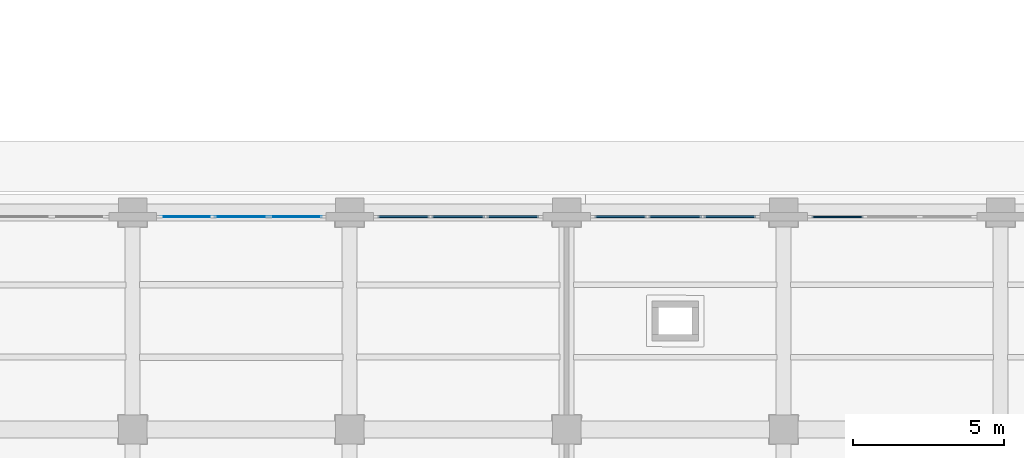
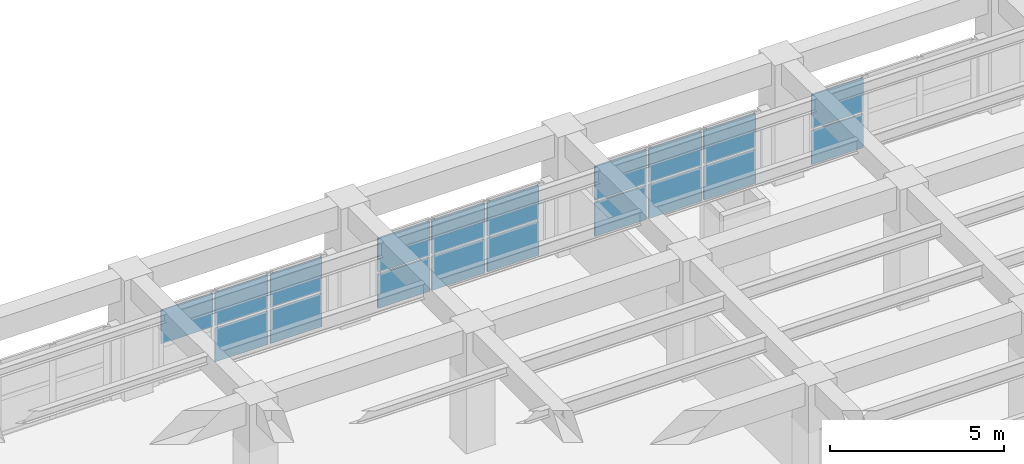
# One storey, part 33 of 64: 19 plates, 4 elements without a shape of their own.
"""IFC4 building model written with IfcOpenShell, lengths in metres."""

from ifc_helpers import new_model, si_unit, direction, frame, origin, origin_2d, place, context, subcontext, project, spatial, rectangle, extrude, material, layer, layer_set, type_object, element, aggregate, save


model = new_model("IFC4")

# Units and contexts
model_context = context("Model", 3, precision=1e-05, world=origin(), true_north=direction((0.0, 1.0)))
body_context = subcontext(model_context, "Body", "Model", "MODEL_VIEW")
ifc_project = project(units=[si_unit("LENGTHUNIT", "METRE"), si_unit("AREAUNIT", "SQUARE_METRE"), si_unit("VOLUMEUNIT", "CUBIC_METRE"), si_unit("PLANEANGLEUNIT", "RADIAN"), si_unit("MASSUNIT", "GRAM", prefix="KILO")], contexts=[model_context])

# Site, building, storey
site_placement = place(None, origin())
site = spatial("IfcSite", under=ifc_project, at=site_placement, CompositionType="ELEMENT")
building_placement = place(site_placement, origin())
building = spatial("IfcBuilding", under=site, at=building_placement, Name="Solenvale Faculty of Natural Sciences", CompositionType="ELEMENT")
storey_placement = place(building_placement, origin())
storey = spatial("IfcBuildingStorey", under=building, at=storey_placement, Name="L00", CompositionType="ELEMENT", Elevation=0.0)

# Curtain wall, plates
ifc_material_1 = material(Name="Anodised bronze aluminium", Category="aluminium")
ifc_layer_1 = layer(ifc_material_1, 0.179931640625)
ifc_layer_set_1 = layer_set([ifc_layer_1], Name="Anodised bronze aluminium")
curtain_wall_type = type_object("IfcCurtainWallType", Name="CW-TWR-MOD", PredefinedType="USERDEFINED", material=ifc_layer_set_1)
curtain_wall_1_placement = place(storey_placement, origin())
curtain_wall_1 = element("IfcCurtainWall", 1, at=curtain_wall_1_placement, inside=storey, type_object=curtain_wall_type, Name="L00 Curtain Wall CW-L00-P1-E9-B6", ObjectType="UNITISED CURTAIN WALL", PredefinedType="USERDEFINED")
ifc_material_2 = material(Name="North-light skylight glass", Category="glass")
ifc_layer_2 = layer(ifc_material_2, 0.028076171875)
ifc_layer_set_2 = layer_set([ifc_layer_2], Name="North-light skylight glass")
plate_type_1 = type_object("IfcPlateType", Name="CWP-PNL-28", PredefinedType="CURTAIN_PANEL", material=ifc_layer_set_2)
plate_1_placement = place(storey_placement, frame((77.41455078125, 50.257568359375, 0.074951171875), z_axis=(0.0, 0.0, 1.0), x_axis=(-1.0, 0.0, 0.0)))
plate_1 = element("IfcPlate", 2, at=plate_1_placement, type_object=plate_type_1, Name="CW-04 panel 1.1", PredefinedType="CURTAIN_PANEL", context=body_context, shape_type="SweptSolid", body=[
    extrude(rectangle(XDim=1.720947265625, YDim=0.028076171875, at=origin_2d()), origin(), (0.0, 0.0, 1.0), 1.1875),
])
plate_2_placement = place(storey_placement, frame((77.41455078125, 50.257568359375, 1.33740234375), z_axis=(0.0, 0.0, 1.0), x_axis=(-1.0, 0.0, 0.0)))
plate_2 = element("IfcPlate", 3, at=plate_2_placement, type_object=plate_type_1, Name="CW-04 panel 1.2", PredefinedType="CURTAIN_PANEL", context=body_context, shape_type="SweptSolid", body=[
    extrude(rectangle(XDim=1.720947265625, YDim=0.028076171875, at=origin_2d()), origin(), (0.0, 0.0, 1.0), 1.1875),
])
plate_3_placement = place(storey_placement, frame((75.60009765625, 50.257568359375, 0.074951171875), z_axis=(0.0, 0.0, 1.0), x_axis=(-1.0, 0.0, 0.0)))
plate_3 = element("IfcPlate", 4, at=plate_3_placement, type_object=plate_type_1, Name="CW-04 panel 2.1", PredefinedType="CURTAIN_PANEL", context=body_context, shape_type="SweptSolid", body=[
    extrude(rectangle(XDim=1.75830078125, YDim=0.028076171875, at=origin_2d()), origin(), (0.0, 0.0, 1.0), 1.1875),
])
plate_4_placement = place(storey_placement, frame((75.60009765625, 50.257568359375, 1.33740234375), z_axis=(0.0, 0.0, 1.0), x_axis=(-1.0, 0.0, 0.0)))
plate_4 = element("IfcPlate", 5, at=plate_4_placement, type_object=plate_type_1, Name="CW-04 panel 2.2", PredefinedType="CURTAIN_PANEL", context=body_context, shape_type="SweptSolid", body=[
    extrude(rectangle(XDim=1.75830078125, YDim=0.028076171875, at=origin_2d()), origin(), (0.0, 0.0, 1.0), 1.1875),
])
plate_5_placement = place(storey_placement, frame((73.785400390625, 50.257568359375, 1.33740234375), z_axis=(0.0, 0.0, 1.0), x_axis=(-1.0, 0.0, 0.0)))
plate_5 = element("IfcPlate", 6, at=plate_5_placement, type_object=plate_type_1, Name="CW-04 panel 3.2", PredefinedType="CURTAIN_PANEL", context=body_context, shape_type="SweptSolid", body=[
    extrude(rectangle(XDim=1.720947265625, YDim=0.028076171875, at=origin_2d()), origin(), (0.0, 0.0, 1.0), 1.1875),
])
aggregate(curtain_wall_1, [plate_1, plate_2, plate_3, plate_4, plate_5])

curtain_wall_2_placement = place(storey_placement, origin())
curtain_wall_2 = element("IfcCurtainWall", 7, at=curtain_wall_2_placement, inside=storey, type_object=curtain_wall_type, Name="L00 Curtain Wall CW-L00-P1-E9-B3", ObjectType="UNITISED CURTAIN WALL", PredefinedType="USERDEFINED")
ifc_layer_3 = layer(ifc_material_1, 0.048095703125)
ifc_layer_set_3 = layer_set([ifc_layer_3], Name="Anodised bronze aluminium")
plate_type_2 = type_object("IfcPlateType", Name="CWP-PNL-48", PredefinedType="CURTAIN_PANEL", material=ifc_layer_set_3)
plate_6_placement = place(storey_placement, frame((95.385498046875, 50.257568359375, 0.074951171875), z_axis=(0.0, 0.0, 1.0), x_axis=(-1.0, 0.0, 0.0)))
plate_6 = element("IfcPlate", 8, at=plate_6_placement, type_object=plate_type_2, Name="CW-04 panel 3.1", PredefinedType="CURTAIN_PANEL", context=body_context, shape_type="SweptSolid", body=[
    extrude(rectangle(XDim=1.720947265625, YDim=0.048095703125, at=origin_2d()), origin(), (0.0, 0.0, 1.0), 1.1875),
])
plate_7_placement = place(storey_placement, frame((95.385498046875, 50.257568359375, 1.33740234375), z_axis=(0.0, 0.0, 1.0), x_axis=(-1.0, 0.0, 0.0)))
plate_7 = element("IfcPlate", 9, at=plate_7_placement, type_object=plate_type_2, Name="CW-04 panel 3.2", PredefinedType="CURTAIN_PANEL", context=body_context, shape_type="SweptSolid", body=[
    extrude(rectangle(XDim=1.720947265625, YDim=0.048095703125, at=origin_2d()), origin(), (0.0, 0.0, 1.0), 1.1875),
])
aggregate(curtain_wall_2, [plate_6, plate_7])

curtain_wall_3_placement = place(storey_placement, origin())
curtain_wall_3 = element("IfcCurtainWall", 10, at=curtain_wall_3_placement, inside=storey, type_object=curtain_wall_type, Name="L00 Curtain Wall CW-L00-P1-E9-B4", ObjectType="UNITISED CURTAIN WALL", PredefinedType="USERDEFINED")
ifc_layer_4 = layer(ifc_material_1, 0.053955078125)
ifc_layer_set_4 = layer_set([ifc_layer_4], Name="Anodised bronze aluminium")
plate_type_3 = type_object("IfcPlateType", Name="CWP-PNL-54", PredefinedType="CURTAIN_PANEL", material=ifc_layer_set_4)
plate_8_placement = place(storey_placement, frame((91.814697265625, 50.257568359375, 0.074951171875), z_axis=(0.0, 0.0, 1.0), x_axis=(-1.0, 0.0, 0.0)))
plate_8 = element("IfcPlate", 11, at=plate_8_placement, type_object=plate_type_3, Name="CW-04 panel 1.1", PredefinedType="CURTAIN_PANEL", context=body_context, shape_type="SweptSolid", body=[
    extrude(rectangle(XDim=1.720947265625, YDim=0.053955078125, at=origin_2d()), origin(), (0.0, 0.0, 1.0), 1.1875),
])
plate_9_placement = place(storey_placement, frame((91.814697265625, 50.257568359375, 1.33740234375), z_axis=(0.0, 0.0, 1.0), x_axis=(-1.0, 0.0, 0.0)))
plate_9 = element("IfcPlate", 12, at=plate_9_placement, type_object=plate_type_3, Name="CW-04 panel 1.2", PredefinedType="CURTAIN_PANEL", context=body_context, shape_type="SweptSolid", body=[
    extrude(rectangle(XDim=1.720947265625, YDim=0.053955078125, at=origin_2d()), origin(), (0.0, 0.0, 1.0), 1.1875),
])
plate_10_placement = place(storey_placement, frame((90.0, 50.257568359375, 0.074951171875), z_axis=(0.0, 0.0, 1.0), x_axis=(-1.0, 0.0, 0.0)))
plate_10 = element("IfcPlate", 13, at=plate_10_placement, type_object=plate_type_3, Name="CW-04 panel 2.1", PredefinedType="CURTAIN_PANEL", context=body_context, shape_type="SweptSolid", body=[
    extrude(rectangle(XDim=1.75830078125, YDim=0.053955078125, at=origin_2d()), origin(), (0.0, 0.0, 1.0), 1.1875),
])
plate_11_placement = place(storey_placement, frame((90.0, 50.257568359375, 1.33740234375), z_axis=(0.0, 0.0, 1.0), x_axis=(-1.0, 0.0, 0.0)))
plate_11 = element("IfcPlate", 14, at=plate_11_placement, type_object=plate_type_3, Name="CW-04 panel 2.2", PredefinedType="CURTAIN_PANEL", context=body_context, shape_type="SweptSolid", body=[
    extrude(rectangle(XDim=1.75830078125, YDim=0.053955078125, at=origin_2d()), origin(), (0.0, 0.0, 1.0), 1.1875),
])
plate_12_placement = place(storey_placement, frame((88.185302734375, 50.257568359375, 0.074951171875), z_axis=(0.0, 0.0, 1.0), x_axis=(-1.0, 0.0, 0.0)))
plate_12 = element("IfcPlate", 15, at=plate_12_placement, type_object=plate_type_3, Name="CW-04 panel 3.1", PredefinedType="CURTAIN_PANEL", context=body_context, shape_type="SweptSolid", body=[
    extrude(rectangle(XDim=1.720947265625, YDim=0.053955078125, at=origin_2d()), origin(), (0.0, 0.0, 1.0), 1.1875),
])
plate_13_placement = place(storey_placement, frame((88.185302734375, 50.257568359375, 1.33740234375), z_axis=(0.0, 0.0, 1.0), x_axis=(-1.0, 0.0, 0.0)))
plate_13 = element("IfcPlate", 16, at=plate_13_placement, type_object=plate_type_3, Name="CW-04 panel 3.2", PredefinedType="CURTAIN_PANEL", context=body_context, shape_type="SweptSolid", body=[
    extrude(rectangle(XDim=1.720947265625, YDim=0.053955078125, at=origin_2d()), origin(), (0.0, 0.0, 1.0), 1.1875),
])
aggregate(curtain_wall_3, [plate_8, plate_9, plate_10, plate_11, plate_12, plate_13])

curtain_wall_4_placement = place(storey_placement, origin())
curtain_wall_4 = element("IfcCurtainWall", 17, at=curtain_wall_4_placement, inside=storey, type_object=curtain_wall_type, Name="L00 Curtain Wall CW-L00-P1-E9-B5", ObjectType="UNITISED CURTAIN WALL", PredefinedType="USERDEFINED")
ifc_layer_5 = layer(ifc_material_1, 0.06005859375)
ifc_layer_set_5 = layer_set([ifc_layer_5], Name="Anodised bronze aluminium")
plate_type_4 = type_object("IfcPlateType", Name="CWP-PNL-60", PredefinedType="CURTAIN_PANEL", material=ifc_layer_set_5)
plate_14_placement = place(storey_placement, frame((84.614501953125, 50.257568359375, 0.074951171875), z_axis=(0.0, 0.0, 1.0), x_axis=(-1.0, 0.0, 0.0)))
plate_14 = element("IfcPlate", 18, at=plate_14_placement, type_object=plate_type_4, Name="CW-04 panel 1.1", PredefinedType="CURTAIN_PANEL", context=body_context, shape_type="SweptSolid", body=[
    extrude(rectangle(XDim=1.720947265625, YDim=0.06005859375, at=origin_2d()), origin(), (0.0, 0.0, 1.0), 1.1875),
])
plate_15_placement = place(storey_placement, frame((84.614501953125, 50.257568359375, 1.33740234375), z_axis=(0.0, 0.0, 1.0), x_axis=(-1.0, 0.0, 0.0)))
plate_15 = element("IfcPlate", 19, at=plate_15_placement, type_object=plate_type_4, Name="CW-04 panel 1.2", PredefinedType="CURTAIN_PANEL", context=body_context, shape_type="SweptSolid", body=[
    extrude(rectangle(XDim=1.720947265625, YDim=0.06005859375, at=origin_2d()), origin(), (0.0, 0.0, 1.0), 1.1875),
])
plate_16_placement = place(storey_placement, frame((82.800048828125, 50.257568359375, 0.074951171875), z_axis=(0.0, 0.0, 1.0), x_axis=(-1.0, 0.0, 0.0)))
plate_16 = element("IfcPlate", 20, at=plate_16_placement, type_object=plate_type_4, Name="CW-04 panel 2.1", PredefinedType="CURTAIN_PANEL", context=body_context, shape_type="SweptSolid", body=[
    extrude(rectangle(XDim=1.75830078125, YDim=0.06005859375, at=origin_2d()), origin(), (0.0, 0.0, 1.0), 1.1875),
])
plate_17_placement = place(storey_placement, frame((82.800048828125, 50.257568359375, 1.33740234375), z_axis=(0.0, 0.0, 1.0), x_axis=(-1.0, 0.0, 0.0)))
plate_17 = element("IfcPlate", 21, at=plate_17_placement, type_object=plate_type_4, Name="CW-04 panel 2.2", PredefinedType="CURTAIN_PANEL", context=body_context, shape_type="SweptSolid", body=[
    extrude(rectangle(XDim=1.75830078125, YDim=0.06005859375, at=origin_2d()), origin(), (0.0, 0.0, 1.0), 1.1875),
])
plate_18_placement = place(storey_placement, frame((80.9853515625, 50.257568359375, 0.074951171875), z_axis=(0.0, 0.0, 1.0), x_axis=(-1.0, 0.0, 0.0)))
plate_18 = element("IfcPlate", 22, at=plate_18_placement, type_object=plate_type_4, Name="CW-04 panel 3.1", PredefinedType="CURTAIN_PANEL", context=body_context, shape_type="SweptSolid", body=[
    extrude(rectangle(XDim=1.720947265625, YDim=0.06005859375, at=origin_2d()), origin(), (0.0, 0.0, 1.0), 1.1875),
])
plate_19_placement = place(storey_placement, frame((80.9853515625, 50.257568359375, 1.33740234375), z_axis=(0.0, 0.0, 1.0), x_axis=(-1.0, 0.0, 0.0)))
plate_19 = element("IfcPlate", 23, at=plate_19_placement, type_object=plate_type_4, Name="CW-04 panel 3.2", PredefinedType="CURTAIN_PANEL", context=body_context, shape_type="SweptSolid", body=[
    extrude(rectangle(XDim=1.720947265625, YDim=0.06005859375, at=origin_2d()), origin(), (0.0, 0.0, 1.0), 1.1875),
])
aggregate(curtain_wall_4, [plate_14, plate_15, plate_16, plate_17, plate_18, plate_19])

save(model, "model.ifc")
